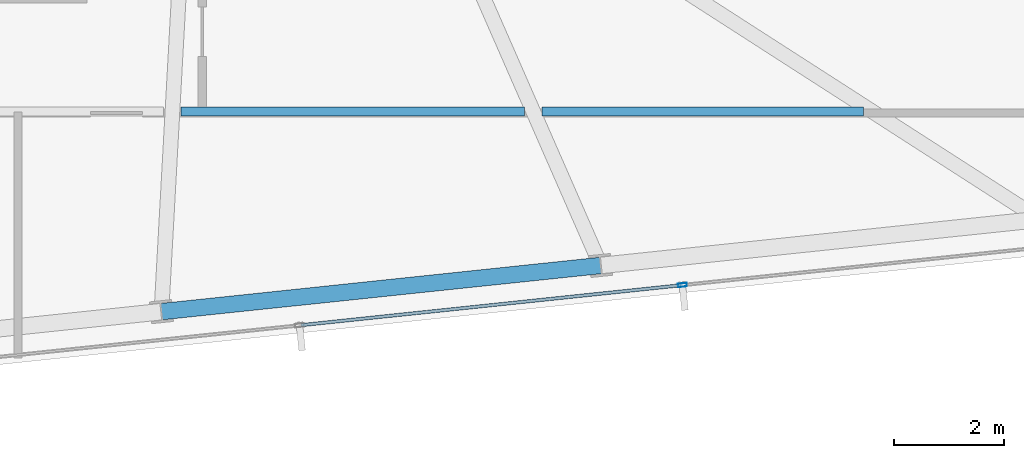
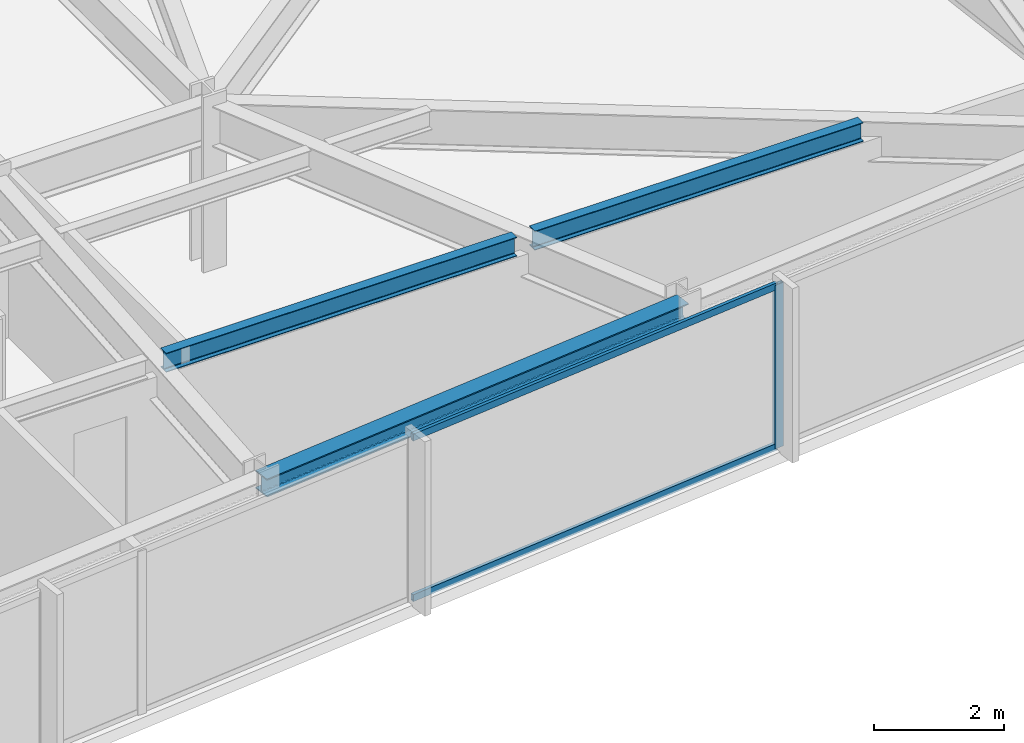
# One storey, part 15 of 32: 3 beams, 3 members, 1 element without a shape of its own.
"""IFC4 building model written with IfcOpenShell, lengths in metres."""

from ifc_helpers import new_model, si_unit, direction, frame, origin, origin_2d, place, context, subcontext, project, spatial, hollow_rectangle, i_section, extrude, material, material_profile, profile_set, type_object, element, aggregate, save


model = new_model("IFC4")

# Units and contexts
model_context = context("Model", 3, precision=1e-05, world=origin(), true_north=direction((0.0, 1.0)))
body_context = subcontext(model_context, "Body", "Model", "MODEL_VIEW")
ifc_project = project(units=[si_unit("LENGTHUNIT", "METRE"), si_unit("AREAUNIT", "SQUARE_METRE"), si_unit("VOLUMEUNIT", "CUBIC_METRE"), si_unit("PLANEANGLEUNIT", "RADIAN"), si_unit("MASSUNIT", "GRAM", prefix="KILO")], contexts=[model_context])

# Site, building, storey
site_placement = place(None, origin())
site = spatial("IfcSite", under=ifc_project, at=site_placement, CompositionType="ELEMENT")
building_placement = place(site_placement, origin())
building = spatial("IfcBuilding", under=site, at=building_placement, Name="Yelkora Congress Tower", CompositionType="ELEMENT")
storey_placement = place(building_placement, frame((0.0, 0.0, 214.39990234375)))
storey = spatial("IfcBuildingStorey", under=building, at=storey_placement, Name="L59", CompositionType="ELEMENT", Elevation=214.39990234375)

# Beams
ifc_material_1 = material(Name="Steel S355J2", Category="steel")
ifc_material_profile_1 = material_profile(ifc_material_1, i_section(OverallWidth=0.169921875, OverallDepth=0.360107421875, WebThickness=0.008056640625, FlangeThickness=0.0126953125, FilletRadius=0.01806640625, at=origin_2d()), Name="IPE 360")
ifc_profile_set_1 = profile_set([ifc_material_profile_1], Name="Steel S355J2")
beam_type_1 = type_object("IfcBeamType", Name="BM-JOIST-IPE360", PredefinedType="JOIST", material=ifc_profile_set_1)
beam_1_placement = place(storey_placement, frame((53.616455078125, 19.678466796875, 2.900146484375), z_axis=(1.0, 0.0, 0.0), x_axis=(0.0, 1.0, 0.0)))
element("IfcBeam", 1, at=beam_1_placement, inside=storey, type_object=beam_type_1, Name="L59 Composite Floor Joist 7", PredefinedType="JOIST", context=body_context, shape_type="SweptSolid", body=[
    extrude(i_section(OverallWidth=0.169921875, OverallDepth=0.360107421875, WebThickness=0.008056640625, FlangeThickness=0.0126953125, FilletRadius=0.01806640625, at=origin_2d()), origin(), (0.0, 0.0, 1.0), 6.2421875),
])
beam_2_placement = place(storey_placement, frame((60.1787109375, 19.678466796875, 2.900146484375), z_axis=(1.0, 0.0, 0.0), x_axis=(0.0, 1.0, 0.0)))
element("IfcBeam", 2, at=beam_2_placement, inside=storey, type_object=beam_type_1, Name="L59 Composite Floor Joist 8", PredefinedType="JOIST", context=body_context, shape_type="SweptSolid", body=[
    extrude(i_section(OverallWidth=0.169921875, OverallDepth=0.360107421875, WebThickness=0.008056640625, FlangeThickness=0.0126953125, FilletRadius=0.01806640625, at=origin_2d()), origin(), (0.0, 0.0, 1.0), 5.84619140625),
])
ifc_material_profile_2 = material_profile(ifc_material_1, i_section(OverallWidth=0.300048828125, OverallDepth=0.340087890625, WebThickness=0.011962890625, FlangeThickness=0.021484375, FilletRadius=0.027099609375, at=origin_2d()), Name="HEB 340")
ifc_profile_set_2 = profile_set([ifc_material_profile_2], Name="Steel S355J2")
beam_type_2 = type_object("IfcBeamType", Name="BM-SPAN-HEB340", PredefinedType="SPANDREL", material=ifc_profile_set_2)
beam_3_placement = place(storey_placement, frame((53.25634765625, 16.037353515625, 2.91015625), z_axis=(0.994520097542, 0.104545567032, 0.0), x_axis=(-0.104545567032, 0.994520097542, 0.0)))
element("IfcBeam", 3, at=beam_3_placement, inside=storey, type_object=beam_type_2, Name="L59 Perimeter Beam 7", PredefinedType="SPANDREL", context=body_context, shape_type="SweptSolid", body=[
    extrude(i_section(OverallWidth=0.300048828125, OverallDepth=0.340087890625, WebThickness=0.011962890625, FlangeThickness=0.021484375, FilletRadius=0.027099609375, at=origin_2d()), origin(), (0.0, 0.0, 1.0), 8.033203125),
])

# Curtain wall, members
ifc_material_2 = material(Name="Anodised aluminium and insulated glass", Category="aluminium")
curtain_wall_type = type_object("IfcCurtainWallType", Name="CW-SYS-B4", PredefinedType="NOTDEFINED", material=ifc_material_2)
curtain_wall_placement = place(storey_placement, origin())
curtain_wall = element("IfcCurtainWall", 4, at=curtain_wall_placement, inside=storey, type_object=curtain_wall_type, Name="L59 Unitised Curtain Wall 20", PredefinedType="NOTDEFINED")
ifc_material_3 = material(Name="Anodised aluminium 6063-T6", Category="aluminium")
ifc_material_profile_3 = material_profile(ifc_material_3, hollow_rectangle(XDim=0.06494140625, YDim=0.159912109375, WallThickness=0.00390625, at=origin_2d()), Name="ALU 65x160x4")
ifc_profile_set_3 = profile_set([ifc_material_profile_3], Name="Anodised aluminium 6063-T6")
member_type_1 = type_object("IfcMemberType", Name="MEM-ML-B4", PredefinedType="MULLION", material=ifc_profile_set_3)
member_1_placement = place(storey_placement, frame((62.731689453125, 16.5205078125, 0.0), z_axis=(0.0, 0.0, 1.0), x_axis=(0.104526664994, -0.994522084373, 0.0)))
member_1 = element("IfcMember", 5, at=member_1_placement, type_object=member_type_1, Name="CW-B4 mullion 2", PredefinedType="MULLION", context=body_context, shape_type="SweptSolid", body=[
    extrude(hollow_rectangle(XDim=0.06494140625, YDim=0.159912109375, WallThickness=0.00390625, at=origin_2d()), origin(), (0.0, 0.0, 1.0), 3.080078125),
])
ifc_material_profile_4 = material_profile(ifc_material_3, hollow_rectangle(XDim=0.06005859375, YDim=0.1298828125, WallThickness=0.00390625, at=origin_2d()), Name="ALU 60x130x4")
ifc_profile_set_4 = profile_set([ifc_material_profile_4], Name="Anodised aluminium 6063-T6")
member_type_2 = type_object("IfcMemberType", Name="MEM-TR-B4", PredefinedType="USERDEFINED", material=ifc_profile_set_4)
member_2_placement = place(storey_placement, frame((62.69921875, 16.51708984375, 0.030029296875), z_axis=(-0.994519904787, -0.104547400648, 0.0), x_axis=(0.104547400648, -0.994519904787, 0.0)))
member_2 = element("IfcMember", 6, at=member_2_placement, type_object=member_type_2, Name="CW-B4 transom 2.1", ObjectType="TRANSOM", PredefinedType="USERDEFINED", context=body_context, shape_type="SweptSolid", body=[
    extrude(hollow_rectangle(XDim=0.06005859375, YDim=0.1298828125, WallThickness=0.00390625, at=origin_2d()), origin(), (0.0, 0.0, 1.0), 6.93798828125),
])
member_3_placement = place(storey_placement, frame((62.69921875, 16.51708984375, 3.050048828125), z_axis=(-0.994519904787, -0.104547400648, 0.0), x_axis=(0.104547400648, -0.994519904787, 0.0)))
member_3 = element("IfcMember", 7, at=member_3_placement, type_object=member_type_2, Name="CW-B4 transom 2.2", ObjectType="TRANSOM", PredefinedType="USERDEFINED", context=body_context, shape_type="SweptSolid", body=[
    extrude(hollow_rectangle(XDim=0.06005859375, YDim=0.1298828125, WallThickness=0.00390625, at=origin_2d()), origin(), (0.0, 0.0, 1.0), 6.93798828125),
])
aggregate(curtain_wall, [member_1, member_2, member_3])

save(model, "model.ifc")
